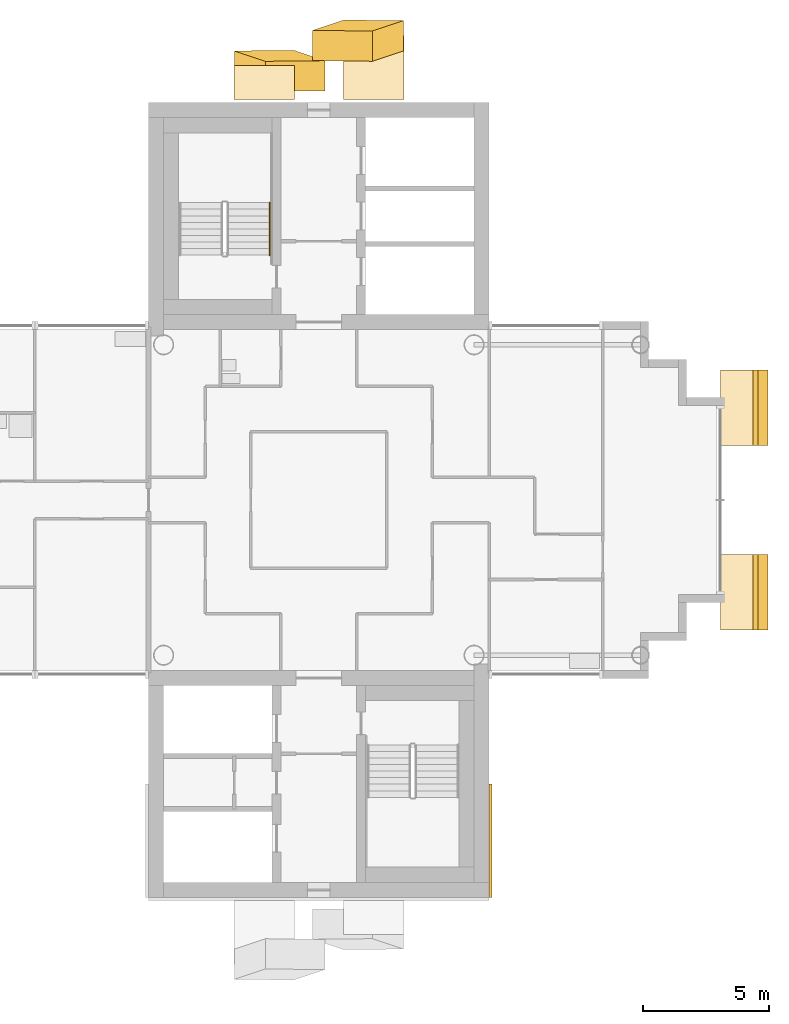
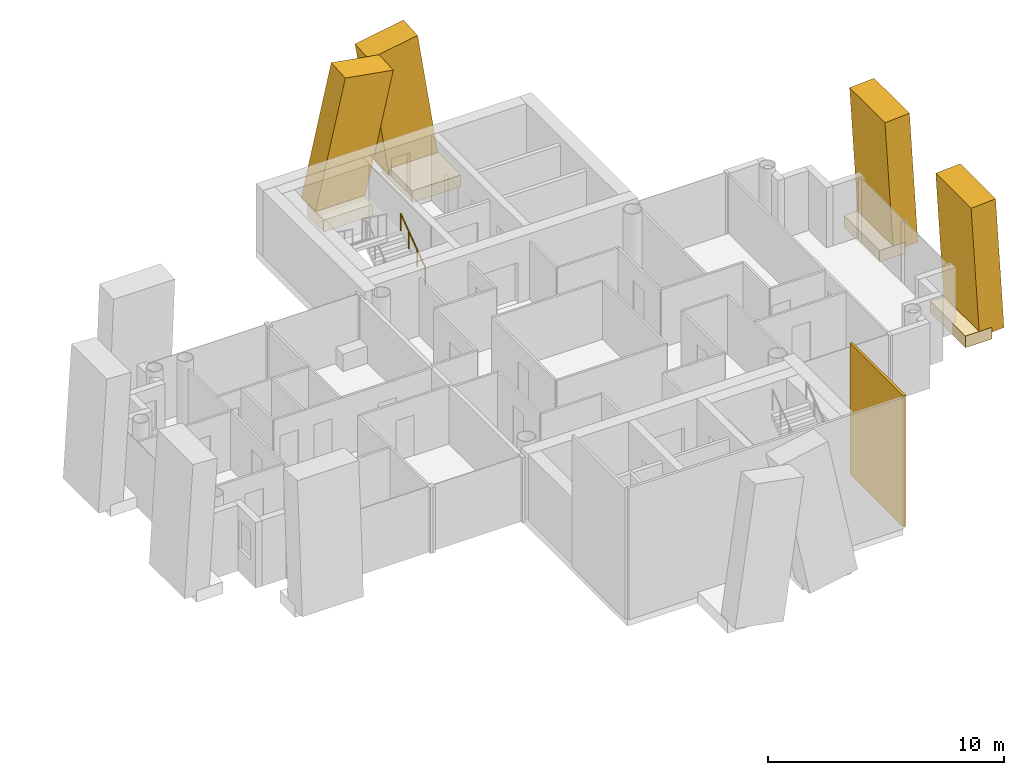
# One storey, part 17 of 18: 9 coverings, 1 railing.
"""IFC4 building model written with IfcOpenShell, lengths in metres."""

from ifc_helpers import new_model, si_unit, direction, frame, origin, origin_2d, place, context, subcontext, project, spatial, rectangle, circle, extrude, material, layer, layer_set, material_profile, profile_set, type_object, element, save


model = new_model("IFC4")

# Units and contexts
model_context = context("Model", 3, precision=1e-05, world=origin(), true_north=direction((0.0, 1.0)))
body_context = subcontext(model_context, "Body", "Model", "MODEL_VIEW")
ifc_project = project(units=[si_unit("LENGTHUNIT", "METRE"), si_unit("AREAUNIT", "SQUARE_METRE"), si_unit("VOLUMEUNIT", "CUBIC_METRE"), si_unit("PLANEANGLEUNIT", "RADIAN"), si_unit("MASSUNIT", "GRAM", prefix="KILO")], contexts=[model_context])

# Site, building, storey
site_placement = place(None, origin())
site = spatial("IfcSite", under=ifc_project, at=site_placement, CompositionType="ELEMENT")
building_placement = place(site_placement, origin())
building = spatial("IfcBuilding", under=site, at=building_placement, Name="Ipe Terrace Towers", CompositionType="ELEMENT")
storey_placement = place(building_placement, frame((0.0, 0.0, 196.0)))
storey = spatial("IfcBuildingStorey", under=building, at=storey_placement, Name="L54", CompositionType="ELEMENT", Elevation=196.0)

# Coverings
ifc_material_1 = material(Name="Concrete C50/60 precast, buff finish", Category="concrete")
ifc_layer = layer(ifc_material_1, 0.1201171875)
ifc_layer_set = layer_set([ifc_layer], Name="STONE CORE CLADDING 120")
covering_type_1 = type_object("IfcCoveringType", Name="STONE CORE CLADDING 120", PredefinedType="CLADDING", material=ifc_layer_set)
covering_1_placement = place(storey_placement, frame((42.81005859375, -13.5, 0.0), z_axis=(0.0, 0.0, 1.0), x_axis=(0.0, 1.0, 0.0)))
element("IfcCovering", 1, at=covering_1_placement, inside=storey, type_object=covering_type_1, Name="stone core cladding", PredefinedType="CLADDING", context=body_context, shape_type="SweptSolid", body=[
    extrude(rectangle(XDim=4.5, YDim=0.1201171875, at=origin_2d()), origin(), (0.0, 0.0, 1.0), 6.800048828125),
])
ifc_material_2 = material(Name="Concrete C50/60 precast, buff finish", Category="concrete")
ifc_material_profile_1 = material_profile(ifc_material_2, rectangle(XDim=2.39990234375, YDim=1.199951171875, at=origin_2d()), Name="STONE FIN 2400 x 1200")
ifc_profile_set_1 = profile_set([ifc_material_profile_1], Name="Concrete C50/60 precast, buff finish")
covering_type_2 = type_object("IfcCoveringType", Name="STONE FIN 2400 x 1200", PredefinedType="USERDEFINED", material=ifc_profile_set_1)
for number, where, z_axis, x_axis, name in (
    (2, (38.169921875, 18.406005859375, 0.0), (-0.178220681043, -0.05952443799, 0.982188490123), (-0.983990543069, 0.010781085201, -0.177894292638), "stone fin"),
    (3, (33.830078125, 17.2060546875, 0.0), (0.178220681043, -0.05952443799, 0.982188490123), (-0.983990543069, -0.010781085201, 0.177894292638), "stone fin"),
):
    element("IfcCovering", number, at=place(storey_placement, frame(where, z_axis=z_axis, x_axis=x_axis)), inside=storey, type_object=covering_type_2, Name=name, ObjectType="FIN", PredefinedType="USERDEFINED", context=body_context, shape_type="SweptSolid", body=[
        extrude(rectangle(XDim=2.39990234375, YDim=1.199951171875, at=origin_2d()), origin(), (0.0, 0.0, 1.0), 6.92333984375),
    ])
ifc_material_3 = material(Name="Concrete C50/60 precast, buff finish", Category="concrete")
ifc_material_profile_2 = material_profile(ifc_material_3, rectangle(XDim=3.0, YDim=1.199951171875, at=origin_2d()), Name="STONE FIN CORNER 3000 x 1200")
ifc_profile_set_2 = profile_set([ifc_material_profile_2], Name="Concrete C50/60 precast, buff finish")
covering_type_3 = type_object("IfcCoveringType", Name="STONE FIN CORNER 3000 x 1200", PredefinedType="USERDEFINED", material=ifc_profile_set_2)
for number, where, z_axis, x_axis, name in (
    (4, (53.2060546875, -3.64990234375, 0.0), (-0.060492896409, 0.0, 0.99816862778), (0.0, 1.0, 0.0), "stone fin"),
    (5, (53.2060546875, 3.64990234375, 0.0), (-0.060492896409, 0.0, 0.99816862778), (0.0, 1.0, 0.0), "stone fin"),
):
    element("IfcCovering", number, at=place(storey_placement, frame(where, z_axis=z_axis, x_axis=x_axis)), inside=storey, type_object=covering_type_3, Name=name, ObjectType="FIN", PredefinedType="USERDEFINED", context=body_context, shape_type="SweptSolid", body=[
        extrude(rectangle(XDim=3.0, YDim=1.199951171875, at=origin_2d()), origin(), (0.0, 0.0, 1.0), 6.8125),
    ])
ifc_material_4 = material(Name="Concrete C50/60 precast, buff finish", Category="concrete")
covering_type_4 = type_object("IfcCoveringType", Name="STONE FIN SHELF 2400 x 600", PredefinedType="CLADDING", material=ifc_material_4)
covering_2_placement = place(storey_placement, frame((38.169921875, 17.133056640625, -0.35009765625), z_axis=(0.0, 0.0, 1.0), x_axis=(-1.0, 0.0, 0.0)))
element("IfcCovering", 6, at=covering_2_placement, inside=storey, type_object=covering_type_4, Name="stone fin shelf", PredefinedType="CLADDING", context=body_context, shape_type="SweptSolid", body=[
    extrude(rectangle(XDim=2.39990234375, YDim=2.5458984375, at=origin_2d()), origin(), (0.0, 0.0, 1.0), 0.60009765625),
])
covering_3_placement = place(storey_placement, frame((33.830078125, 16.532958984375, -0.35009765625), z_axis=(0.0, 0.0, 1.0), x_axis=(-1.0, 0.0, 0.0)))
element("IfcCovering", 7, at=covering_3_placement, inside=storey, type_object=covering_type_4, Name="stone fin shelf", PredefinedType="CLADDING", context=body_context, shape_type="SweptSolid", body=[
    extrude(rectangle(XDim=2.39990234375, YDim=1.345947265625, at=origin_2d()), origin(), (0.0, 0.0, 1.0), 0.60009765625),
])
ifc_material_5 = material(Name="Concrete C50/60 precast, buff finish", Category="concrete")
covering_type_5 = type_object("IfcCoveringType", Name="STONE FIN SHELF 3000 x 600", PredefinedType="CLADDING", material=ifc_material_5)
for number, where, z_axis, x_axis, name in (
    (8, (52.56103515625, -3.64990234375, -0.35009765625), (0.0, 0.0, 1.0), (0.0, 1.0, 0.0), "stone fin shelf"),
    (9, (52.56103515625, 3.64990234375, -0.35009765625), (0.0, 0.0, 1.0), (0.0, 1.0, 0.0), "stone fin shelf"),
):
    element("IfcCovering", number, at=place(storey_placement, frame(where, z_axis=z_axis, x_axis=x_axis)), inside=storey, type_object=covering_type_5, Name=name, PredefinedType="CLADDING", context=body_context, shape_type="SweptSolid", body=[
        extrude(rectangle(XDim=3.0, YDim=1.2900390625, at=origin_2d()), origin(), (0.0, 0.0, 1.0), 0.60009765625),
    ])

# Railing
ifc_material_6 = material(Name="Stainless steel grade 304", Category="steel")
railing_type = type_object("IfcRailingType", Name="Stair handrail 900", PredefinedType="HANDRAIL", material=ifc_material_6)
railing_placement = place(storey_placement, frame((34.050048828125, 9.699951171875, 0.18896484375)))
element("IfcRailing", 10, at=railing_placement, inside=storey, type_object=railing_type, Name="L54 T2-ST1 stair handrail 1", PredefinedType="HANDRAIL", context=body_context, shape_type="SweptSolid", body=[
    extrude(circle(Radius=0.02392578125, at=origin_2d()), frame((0.0, 0.0, 0.8759765625), z_axis=(0.0, 0.809068575486, 0.587714250432), x_axis=(-1.0, 0.0, 0.0)), (0.0, 0.0, 1.0), 2.571044921875),
    extrude(circle(Radius=0.02099609375, at=origin_2d()), origin(), (0.0, 0.0, 1.0), 0.851806640625),
    extrude(circle(Radius=0.02099609375, at=origin_2d()), frame((0.0, 0.693359375, 0.503662109375)), (0.0, 0.0, 1.0), 0.851806640625),
    extrude(circle(Radius=0.02099609375, at=origin_2d()), frame((0.0, 1.38671875, 1.00732421875)), (0.0, 0.0, 1.0), 0.851806640625),
    extrude(circle(Radius=0.02099609375, at=origin_2d()), frame((0.0, 2.080078125, 1.510986328125)), (0.0, 0.0, 1.0), 0.851806640625),
])

save(model, "model.ifc")
